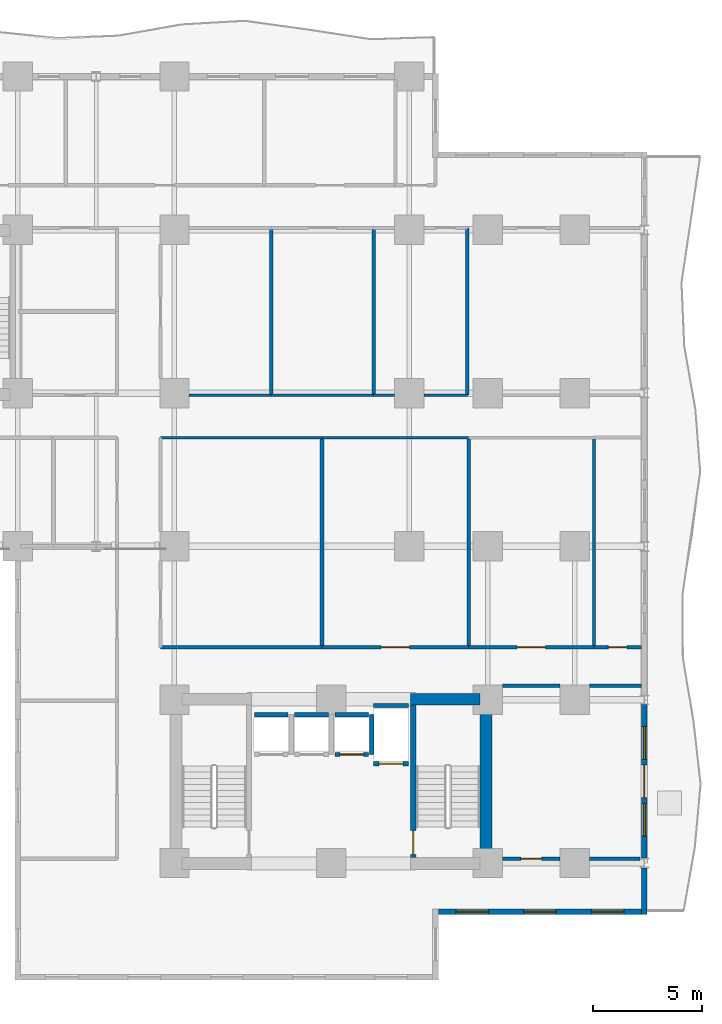
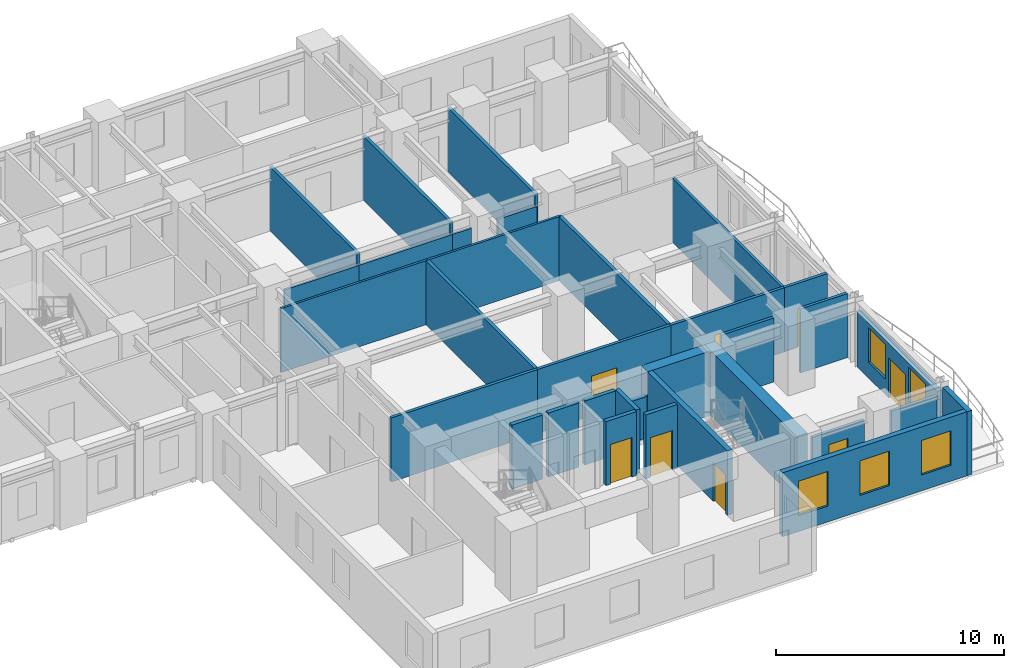
# One storey, part 5 of 11: 33 walls, 8 doors, 5 windows, 13 openings.
"""IFC4 building model written with IfcOpenShell, lengths in metres."""

from ifc_helpers import new_model, si_unit, direction, frame, frame_2d, origin, place, context, subcontext, project, spatial, rectangle, extrude, material, layer, layer_set, type_object, element, fill, save


model = new_model("IFC4")

# Units and contexts
model_context = context("Model", 3, precision=1e-05, world=origin(), true_north=direction((0.0, 1.0)))
body_context = subcontext(model_context, "Body", "Model", "MODEL_VIEW")
ifc_project = project(units=[si_unit("LENGTHUNIT", "METRE"), si_unit("AREAUNIT", "SQUARE_METRE"), si_unit("VOLUMEUNIT", "CUBIC_METRE"), si_unit("PLANEANGLEUNIT", "RADIAN"), si_unit("MASSUNIT", "GRAM", prefix="KILO")], contexts=[model_context])

# Site, building, storey
site_placement = place(None, origin())
site = spatial("IfcSite", under=ifc_project, at=site_placement, CompositionType="ELEMENT")
building_placement = place(site_placement, origin())
building = spatial("IfcBuilding", under=site, at=building_placement, Name="Kaliganga Portal Commons", CompositionType="ELEMENT")
storey_placement = place(building_placement, frame((0.0, 0.0, 51.199951171875)))
storey = spatial("IfcBuildingStorey", under=building, at=storey_placement, Name="L12", CompositionType="ELEMENT", Elevation=51.199951171875)

# Walls
ifc_material_1 = material(Name="Concrete C60/75", Category="concrete")
ifc_layer_1 = layer(ifc_material_1, 0.550048828125)
ifc_layer_set_1 = layer_set([ifc_layer_1], Name="Concrete C60/75")
wall_type_1 = type_object("IfcWallType", Name="WL-CORE-550", PredefinedType="SHEAR", material=ifc_layer_set_1)
wall_1_placement = place(storey_placement, frame((50.324951171875, 6.75, 0.0), z_axis=(0.0, 0.0, 1.0), x_axis=(0.0, 1.0, 0.0)))
element("IfcWall", 1, at=wall_1_placement, inside=storey, type_object=wall_type_1, Name="Core B East Shear Wall L12", PredefinedType="SHEAR", context=body_context, shape_type="SweptSolid", body=[
    extrude(rectangle(XDim=8.10009765625, YDim=0.550048828125, at=frame_2d((4.050048828125, 0.0))), origin(), (0.0, 0.0, 1.0), 3.449951171875),
])
wall_2_placement = place(storey_placement, frame((46.85009765625, 14.574951171875, 0.0), z_axis=(0.0, 0.0, 1.0), x_axis=(1.0, 0.0, 0.0)))
element("IfcWall", 2, at=wall_2_placement, inside=storey, type_object=wall_type_1, Name="Core B N-East Shear Wall L12", PredefinedType="SHEAR", context=body_context, shape_type="SweptSolid", body=[
    extrude(rectangle(XDim=3.199951171875, YDim=0.550048828125, at=frame_2d((1.60009765625, 0.0))), origin(), (0.0, 0.0, 1.0), 3.449951171875),
])

# Wall, openings, windows
ifc_material_2 = material(Name="Insulated Aluminium-Clad Spandrel Assembly", Category="aluminium")
ifc_layer_2 = layer(ifc_material_2, 0.260009765625)
ifc_layer_set_2 = layer_set([ifc_layer_2], Name="Insulated Aluminium-Clad Spandrel Assembly")
wall_type_2 = type_object("IfcWallType", Name="WL-EXT-SPAND-260", PredefinedType="STANDARD", material=ifc_layer_set_2)
wall_3_placement = place(storey_placement, frame((57.465087890625, 4.800048828125, 0.0), z_axis=(0.0, 0.0, 1.0), x_axis=(-1.0, 0.0, 0.0)))
wall_3 = element("IfcWall", 3, at=wall_3_placement, inside=storey, type_object=wall_type_2, Name="Exterior Envelope Wall L12 P1-E02-S1", PredefinedType="STANDARD", context=body_context, shape_type="SweptSolid", body=[
    extrude(rectangle(XDim=9.330078125, YDim=0.260009765625, at=frame_2d((4.6650390625, 0.0))), origin(), (0.0, 0.0, 1.0), 3.429931640625),
])
opening_1_placement = place(wall_3_placement, frame((0.804931640625, 0.0, 0.85009765625)))
opening_1 = element("IfcOpeningElement", 4, at=opening_1_placement, cuts=wall_3, Name="Opening W-02", PredefinedType="OPENING", context=body_context, shape_type="SweptSolid", body=[
    extrude(rectangle(XDim=1.5, YDim=1.85009765625, at=frame_2d((0.75, 0.925048828125))), frame((0.0, 0.14013671875, 0.0), z_axis=(0.0, -1.0, 0.0), x_axis=(1.0, 0.0, 0.0)), (0.0, 0.0, 1.0), 0.280029296875),
])
opening_2_placement = place(wall_3_placement, frame((3.9150390625, 0.0, 0.85009765625)))
opening_2 = element("IfcOpeningElement", 5, at=opening_2_placement, cuts=wall_3, Name="Opening W-02", PredefinedType="OPENING", context=body_context, shape_type="SweptSolid", body=[
    extrude(rectangle(XDim=1.5, YDim=1.85009765625, at=frame_2d((0.75, 0.925048828125))), frame((0.0, 0.14013671875, 0.0), z_axis=(0.0, -1.0, 0.0), x_axis=(1.0, 0.0, 0.0)), (0.0, 0.0, 1.0), 0.280029296875),
])
opening_3_placement = place(wall_3_placement, frame((7.02490234375, 0.0, 0.85009765625)))
opening_3 = element("IfcOpeningElement", 6, at=opening_3_placement, cuts=wall_3, Name="Opening W-02", PredefinedType="OPENING", context=body_context, shape_type="SweptSolid", body=[
    extrude(rectangle(XDim=1.5, YDim=1.85009765625, at=frame_2d((0.75, 0.925048828125))), frame((0.0, 0.14013671875, 0.0), z_axis=(0.0, -1.0, 0.0), x_axis=(1.0, 0.0, 0.0)), (0.0, 0.0, 1.0), 0.280029296875),
])
ifc_material_3 = material(Name="Thermally Broken Aluminium and Low-E Double Glazing", Category="aluminium")
window_type = type_object("IfcWindowType", Name="WIN-STD-1500", PartitioningType="DOUBLE_PANEL_VERTICAL", PredefinedType="WINDOW", material=ifc_material_3)
window_1_placement = place(opening_1_placement, origin())
window_1 = element("IfcWindow", 7, at=window_1_placement, inside=storey, type_object=window_type, Name="Facade Window L12-P1E02S1-00", OverallHeight=1.85009765625, OverallWidth=1.5, PartitioningType="SINGLE_PANEL", PredefinedType="WINDOW", context=body_context, shape_type="SweptSolid", body=[
    extrude(rectangle(XDim=1.5, YDim=1.85009765625, at=frame_2d((0.75, 0.925048828125))), frame((0.0, 0.030029296875, 0.0), z_axis=(0.0, -1.0, 0.0), x_axis=(1.0, 0.0, 0.0)), (0.0, 0.0, 1.0), 0.06005859375),
])
fill(opening_1, window_1)
window_2_placement = place(opening_2_placement, origin())
window_2 = element("IfcWindow", 8, at=window_2_placement, inside=storey, type_object=window_type, Name="Facade Window L12-P1E02S1-01", OverallHeight=1.85009765625, OverallWidth=1.5, PartitioningType="SINGLE_PANEL", PredefinedType="WINDOW", context=body_context, shape_type="SweptSolid", body=[
    extrude(rectangle(XDim=1.5, YDim=1.85009765625, at=frame_2d((0.75, 0.925048828125))), frame((0.0, 0.030029296875, 0.0), z_axis=(0.0, -1.0, 0.0), x_axis=(1.0, 0.0, 0.0)), (0.0, 0.0, 1.0), 0.06005859375),
])
fill(opening_2, window_2)
window_3_placement = place(opening_3_placement, origin())
window_3 = element("IfcWindow", 9, at=window_3_placement, inside=storey, type_object=window_type, Name="Facade Window L12-P1E02S1-02", OverallHeight=1.85009765625, OverallWidth=1.5, PartitioningType="SINGLE_PANEL", PredefinedType="WINDOW", context=body_context, shape_type="SweptSolid", body=[
    extrude(rectangle(XDim=1.5, YDim=1.85009765625, at=frame_2d((0.75, 0.925048828125))), frame((0.0, 0.030029296875, 0.0), z_axis=(0.0, -1.0, 0.0), x_axis=(1.0, 0.0, 0.0)), (0.0, 0.0, 1.0), 0.06005859375),
])
fill(opening_3, window_3)

# Wall
wall_4_placement = place(storey_placement, frame((57.60009765625, 6.825927734375, 0.0), z_axis=(0.0, 0.0, 1.0), x_axis=(0.0, -1.0, 0.0)))
element("IfcWall", 10, at=wall_4_placement, inside=storey, type_object=wall_type_2, Name="Exterior Envelope Wall L12 P1-E03-S1", PredefinedType="STANDARD", context=body_context, shape_type="SweptSolid", body=[
    extrude(rectangle(XDim=2.156005859375, YDim=0.260009765625, at=frame_2d((1.078125, 0.0))), origin(), (0.0, 0.0, 1.0), 3.429931640625),
])

# Wall, openings, door, windows
wall_5_placement = place(storey_placement, frame((57.60009765625, 14.325927734375, 0.0), z_axis=(0.0, 0.0, 1.0), x_axis=(0.0, -1.0, 0.0)))
wall_5 = element("IfcWall", 11, at=wall_5_placement, inside=storey, type_object=wall_type_2, Name="Exterior Envelope Wall L12 P1-E03-S2", PredefinedType="STANDARD", context=body_context, shape_type="SweptSolid", body=[
    extrude(rectangle(XDim=7.052001953125, YDim=0.260009765625, at=frame_2d((3.52587890625, 0.0))), origin(), (0.0, 0.0, 1.0), 2.929931640625),
])
opening_4_placement = place(wall_5_placement, frame((2.77587890625, 0.0, 0.0)))
opening_4 = element("IfcOpeningElement", 12, at=opening_4_placement, cuts=wall_5, Name="Opening BD-01", PredefinedType="OPENING", context=body_context, shape_type="SweptSolid", body=[
    extrude(rectangle(XDim=1.5, YDim=2.14990234375, at=frame_2d((0.75, 1.074951171875))), frame((0.0, 0.14013671875, 0.0), z_axis=(0.0, -1.0, 0.0), x_axis=(1.0, 0.0, 0.0)), (0.0, 0.0, 1.0), 0.280029296875),
])
opening_5_placement = place(wall_5_placement, frame((1.012939453125, 0.0, 0.85009765625)))
opening_5 = element("IfcOpeningElement", 13, at=opening_5_placement, cuts=wall_5, Name="Opening W-02", PredefinedType="OPENING", context=body_context, shape_type="SweptSolid", body=[
    extrude(rectangle(XDim=1.5, YDim=1.85009765625, at=frame_2d((0.75, 0.925048828125))), frame((0.0, 0.14013671875, 0.0), z_axis=(0.0, -1.0, 0.0), x_axis=(1.0, 0.0, 0.0)), (0.0, 0.0, 1.0), 0.280029296875),
])
opening_6_placement = place(wall_5_placement, frame((4.5390625, 0.0, 0.85009765625)))
opening_6 = element("IfcOpeningElement", 14, at=opening_6_placement, cuts=wall_5, Name="Opening W-02", PredefinedType="OPENING", context=body_context, shape_type="SweptSolid", body=[
    extrude(rectangle(XDim=1.5, YDim=1.85009765625, at=frame_2d((0.75, 0.925048828125))), frame((0.0, 0.14013671875, 0.0), z_axis=(0.0, -1.0, 0.0), x_axis=(1.0, 0.0, 0.0)), (0.0, 0.0, 1.0), 0.280029296875),
])
ifc_material_4 = material(Name="Anodized Aluminium and Laminated Safety Glass", Category="aluminium")
door_type_1 = type_object("IfcDoorType", Name="DR-BALC-1500", OperationType="SLIDING_TO_LEFT", PredefinedType="DOOR", material=ifc_material_4)
door_1_placement = place(opening_4_placement, origin())
door_1 = element("IfcDoor", 15, at=door_1_placement, inside=storey, type_object=door_type_1, Name="Balcony Sliding Door L12 balc_east", OperationType="SLIDING_TO_LEFT", OverallHeight=2.14990234375, OverallWidth=1.5, PredefinedType="DOOR", context=body_context, shape_type="SweptSolid", body=[
    extrude(rectangle(XDim=1.5, YDim=2.14990234375, at=frame_2d((0.75, 1.074951171875))), frame((0.0, 0.02490234375, 0.0), z_axis=(0.0, -1.0, 0.0), x_axis=(1.0, 0.0, 0.0)), (0.0, 0.0, 1.0), 0.050048828125),
])
fill(opening_4, door_1)
window_4_placement = place(opening_5_placement, origin())
window_4 = element("IfcWindow", 16, at=window_4_placement, inside=storey, type_object=window_type, Name="Facade Window L12-P1E03S2-00", OverallHeight=1.85009765625, OverallWidth=1.5, PartitioningType="SINGLE_PANEL", PredefinedType="WINDOW", context=body_context, shape_type="SweptSolid", body=[
    extrude(rectangle(XDim=1.5, YDim=1.85009765625, at=frame_2d((0.75, 0.925048828125))), frame((0.0, 0.030029296875, 0.0), z_axis=(0.0, -1.0, 0.0), x_axis=(1.0, 0.0, 0.0)), (0.0, 0.0, 1.0), 0.06005859375),
])
fill(opening_5, window_4)
window_5_placement = place(opening_6_placement, origin())
window_5 = element("IfcWindow", 17, at=window_5_placement, inside=storey, type_object=window_type, Name="Facade Window L12-P1E03S2-01", OverallHeight=1.85009765625, OverallWidth=1.5, PartitioningType="SINGLE_PANEL", PredefinedType="WINDOW", context=body_context, shape_type="SweptSolid", body=[
    extrude(rectangle(XDim=1.5, YDim=1.85009765625, at=frame_2d((0.75, 0.925048828125))), frame((0.0, 0.030029296875, 0.0), z_axis=(0.0, -1.0, 0.0), x_axis=(1.0, 0.0, 0.0)), (0.0, 0.0, 1.0), 0.06005859375),
])
fill(opening_6, window_5)

# Wall
ifc_material_5 = material(Name="Fire-Rated Gypsum Board on Steel Stud", Category="steel")
ifc_layer_3 = layer(ifc_material_5, 0.14990234375)
ifc_layer_set_3 = layer_set([ifc_layer_3], Name="Fire-Rated Gypsum Board on Steel Stud")
wall_type_3 = type_object("IfcWallType", Name="WL-PART-CORR-150", PredefinedType="PARTITIONING", material=ifc_layer_set_3)
wall_6_placement = place(storey_placement, frame((35.360107421875, 16.9599609375, 0.0), z_axis=(0.0, 0.0, 1.0), x_axis=(1.0, 0.0, 0.0)))
element("IfcWall", 18, at=wall_6_placement, inside=storey, type_object=wall_type_3, Name="Interior Partition L12-013", PredefinedType="PARTITIONING", context=body_context, shape_type="SweptSolid", body=[
    extrude(rectangle(XDim=7.419921875, YDim=0.14990234375, at=frame_2d((3.7099609375, 0.0))), origin(), (0.0, 0.0, 1.0), 3.429931640625),
])

# Wall, opening, door
wall_7_placement = place(storey_placement, frame((51.074951171875, 7.239990234375, 0.0), z_axis=(0.0, 0.0, 1.0), x_axis=(1.0, 0.0, 0.0)))
wall_7 = element("IfcWall", 19, at=wall_7_placement, inside=storey, type_object=wall_type_3, Name="Interior Partition L12-017", PredefinedType="PARTITIONING", context=body_context, shape_type="SweptSolid", body=[
    extrude(rectangle(XDim=2.650146484375, YDim=0.14990234375, at=frame_2d((1.3251953125, 0.0))), origin(), (0.0, 0.0, 1.0), 2.780029296875),
])
opening_7_placement = place(wall_7_placement, frame((0.85009765625, 0.0, 0.0)))
opening_7 = element("IfcOpeningElement", 20, at=opening_7_placement, cuts=wall_7, Name="Opening UD-01", PredefinedType="OPENING", context=body_context, shape_type="SweptSolid", body=[
    extrude(rectangle(XDim=0.949951171875, YDim=2.10009765625, at=frame_2d((0.47509765625, 1.050048828125))), frame((0.0, 0.0849609375, 0.0), z_axis=(0.0, -1.0, 0.0), x_axis=(1.0, 0.0, 0.0)), (0.0, 0.0, 1.0), 0.169921875),
])
ifc_material_6 = material(Name="Solid-Core Timber Acoustic Fire Door", Category="wood")
door_type_2 = type_object("IfcDoorType", Name="DR-UNIT-950", OperationType="NOTDEFINED", PredefinedType="DOOR", material=ifc_material_6)
door_2_placement = place(opening_7_placement, origin())
door_2 = element("IfcDoor", 21, at=door_2_placement, inside=storey, type_object=door_type_2, Name="Interior Door L12-BE01", OperationType="SINGLE_SWING_RIGHT", OverallHeight=2.10009765625, OverallWidth=0.949951171875, PredefinedType="DOOR", context=body_context, shape_type="SweptSolid", body=[
    extrude(rectangle(XDim=0.949951171875, YDim=2.10009765625, at=frame_2d((0.47509765625, 1.050048828125))), frame((0.0, 0.02490234375, 0.0), z_axis=(0.0, -1.0, 0.0), x_axis=(1.0, 0.0, 0.0)), (0.0, 0.0, 1.0), 0.050048828125),
])
fill(opening_7, door_2)

# Walls
wall_8_placement = place(storey_placement, frame((55.074951171875, 7.239990234375, 0.0), z_axis=(0.0, 0.0, 1.0), x_axis=(1.0, 0.0, 0.0)))
element("IfcWall", 22, at=wall_8_placement, inside=storey, type_object=wall_type_3, Name="Interior Partition L12-018", PredefinedType="PARTITIONING", context=body_context, shape_type="SweptSolid", body=[
    extrude(rectangle(XDim=2.317138671875, YDim=0.14990234375, at=frame_2d((1.15869140625, 0.0))), origin(), (0.0, 0.0, 1.0), 2.780029296875),
])
wall_9_placement = place(storey_placement, frame((51.074951171875, 15.199951171875, 0.0), z_axis=(0.0, 0.0, 1.0), x_axis=(1.0, 0.0, 0.0)))
element("IfcWall", 23, at=wall_9_placement, inside=storey, type_object=wall_type_3, Name="Interior Partition L12-019", PredefinedType="PARTITIONING", context=body_context, shape_type="SweptSolid", body=[
    extrude(rectangle(XDim=2.650146484375, YDim=0.14990234375, at=frame_2d((1.3251953125, 0.0))), origin(), (0.0, 0.0, 1.0), 3.429931640625),
])
wall_10_placement = place(storey_placement, frame((55.074951171875, 15.199951171875, 0.0), z_axis=(0.0, 0.0, 1.0), x_axis=(1.0, 0.0, 0.0)))
element("IfcWall", 24, at=wall_10_placement, inside=storey, type_object=wall_type_3, Name="Interior Partition L12-020", PredefinedType="PARTITIONING", context=body_context, shape_type="SweptSolid", body=[
    extrude(rectangle(XDim=2.39306640625, YDim=0.14990234375, at=frame_2d((1.196533203125, 0.0))), origin(), (0.0, 0.0, 1.0), 3.429931640625),
])

# Wall, opening, door
wall_11_placement = place(storey_placement, frame((42.780029296875, 16.9599609375, 0.0), z_axis=(0.0, 0.0, 1.0), x_axis=(1.0, 0.0, 0.0)))
wall_11 = element("IfcWall", 25, at=wall_11_placement, inside=storey, type_object=wall_type_3, Name="Interior Partition L12-022", PredefinedType="PARTITIONING", context=body_context, shape_type="SweptSolid", body=[
    extrude(rectangle(XDim=6.739990234375, YDim=0.14990234375, at=frame_2d((3.3701171875, 0.0))), origin(), (0.0, 0.0, 1.0), 3.429931640625),
])
opening_8_placement = place(wall_11_placement, frame((2.719970703125, 0.0, 0.0)))
opening_8 = element("IfcOpeningElement", 26, at=opening_8_placement, cuts=wall_11, Name="Opening RD-03", PredefinedType="OPENING", context=body_context, shape_type="SweptSolid", body=[
    extrude(rectangle(XDim=1.300048828125, YDim=2.1201171875, at=frame_2d((0.64990234375, 1.06005859375))), frame((0.0, 0.0849609375, 0.0), z_axis=(0.0, -1.0, 0.0), x_axis=(1.0, 0.0, 0.0)), (0.0, 0.0, 1.0), 0.169921875),
])
ifc_material_7 = material(Name="Glazed Timber Seminar Vision Door", Category="wood")
door_type_3 = type_object("IfcDoorType", Name="DR-STUDY-1300", OperationType="DOUBLE_DOOR_SINGLE_SWING", PredefinedType="DOOR", material=ifc_material_7)
door_3_placement = place(opening_8_placement, origin())
door_3 = element("IfcDoor", 27, at=door_3_placement, inside=storey, type_object=door_type_3, Name="Interior Door L12-BM02", OperationType="DOUBLE_DOOR_SINGLE_SWING", OverallHeight=2.1201171875, OverallWidth=1.300048828125, PredefinedType="DOOR", context=body_context, shape_type="SweptSolid", body=[
    extrude(rectangle(XDim=1.300048828125, YDim=2.1201171875, at=frame_2d((0.64990234375, 1.06005859375))), frame((0.0, 0.02490234375, 0.0), z_axis=(0.0, -1.0, 0.0), x_axis=(1.0, 0.0, 0.0)), (0.0, 0.0, 1.0), 0.050048828125),
])
fill(opening_8, door_3)

wall_12_placement = place(storey_placement, frame((49.52001953125, 16.9599609375, 0.0), z_axis=(0.0, 0.0, 1.0), x_axis=(1.0, 0.0, 0.0)))
wall_12 = element("IfcWall", 28, at=wall_12_placement, inside=storey, type_object=wall_type_3, Name="Interior Partition L12-026", PredefinedType="PARTITIONING", context=body_context, shape_type="SweptSolid", body=[
    extrude(rectangle(XDim=5.760009765625, YDim=0.14990234375, at=frame_2d((2.8798828125, 0.0))), origin(), (0.0, 0.0, 1.0), 3.429931640625),
])
opening_9_placement = place(wall_12_placement, frame((2.22998046875, 0.0, 0.0)))
opening_9 = element("IfcOpeningElement", 29, at=opening_9_placement, cuts=wall_12, Name="Opening RD-03", PredefinedType="OPENING", context=body_context, shape_type="SweptSolid", body=[
    extrude(rectangle(XDim=1.300048828125, YDim=2.1201171875, at=frame_2d((0.64990234375, 1.06005859375))), frame((0.0, 0.0849609375, 0.0), z_axis=(0.0, -1.0, 0.0), x_axis=(1.0, 0.0, 0.0)), (0.0, 0.0, 1.0), 0.169921875),
])
door_4_placement = place(opening_9_placement, origin())
door_4 = element("IfcDoor", 30, at=door_4_placement, inside=storey, type_object=door_type_3, Name="Interior Door L12-BM03", OperationType="DOUBLE_DOOR_SINGLE_SWING", OverallHeight=2.1201171875, OverallWidth=1.300048828125, PredefinedType="DOOR", context=body_context, shape_type="SweptSolid", body=[
    extrude(rectangle(XDim=1.300048828125, YDim=2.1201171875, at=frame_2d((0.64990234375, 1.06005859375))), frame((0.0, 0.02490234375, 0.0), z_axis=(0.0, -1.0, 0.0), x_axis=(1.0, 0.0, 0.0)), (0.0, 0.0, 1.0), 0.050048828125),
])
fill(opening_9, door_4)

wall_13_placement = place(storey_placement, frame((55.280029296875, 16.9599609375, 0.0), z_axis=(0.0, 0.0, 1.0), x_axis=(1.0, 0.0, 0.0)))
wall_13 = element("IfcWall", 31, at=wall_13_placement, inside=storey, type_object=wall_type_3, Name="Interior Partition L12-044", PredefinedType="PARTITIONING", context=body_context, shape_type="SweptSolid", body=[
    extrude(rectangle(XDim=2.18798828125, YDim=0.14990234375, at=frame_2d((1.093994140625, 0.0))), origin(), (0.0, 0.0, 1.0), 3.429931640625),
])
opening_10_placement = place(wall_13_placement, frame((0.6689453125, 0.0, 0.0)))
opening_10 = element("IfcOpeningElement", 32, at=opening_10_placement, cuts=wall_13, Name="Opening WD-01", PredefinedType="OPENING", context=body_context, shape_type="SweptSolid", body=[
    extrude(rectangle(XDim=0.85009765625, YDim=2.0400390625, at=frame_2d((0.425048828125, 1.02001953125))), frame((0.0, 0.0849609375, 0.0), z_axis=(0.0, -1.0, 0.0), x_axis=(1.0, 0.0, 0.0)), (0.0, 0.0, 1.0), 0.169921875),
])
ifc_material_8 = material(Name="Moisture-Resistant Laminate Timber Door", Category="wood")
door_type_4 = type_object("IfcDoorType", Name="DR-WET-850", OperationType="NOTDEFINED", PredefinedType="DOOR", material=ifc_material_8)
door_5_placement = place(opening_10_placement, origin())
door_5 = element("IfcDoor", 33, at=door_5_placement, inside=storey, type_object=door_type_4, Name="Interior Door L12-BM04", OperationType="SINGLE_SWING_LEFT", OverallHeight=2.0400390625, OverallWidth=0.85009765625, PredefinedType="DOOR", context=body_context, shape_type="SweptSolid", body=[
    extrude(rectangle(XDim=0.85009765625, YDim=2.0400390625, at=frame_2d((0.425048828125, 1.02001953125))), frame((0.0, 0.02490234375, 0.0), z_axis=(0.0, -1.0, 0.0), x_axis=(1.0, 0.0, 0.0)), (0.0, 0.0, 1.0), 0.050048828125),
])
fill(opening_10, door_5)

# Walls
ifc_material_9 = material(Name="Moisture-Resistant Gypsum Partition", Category="gypsum")
ifc_layer_4 = layer(ifc_material_9, 0.114990234375)
ifc_layer_set_4 = layer_set([ifc_layer_4], Name="Moisture-Resistant Gypsum Partition")
wall_type_4 = type_object("IfcWallType", Name="WL-PART-ROOM-115", PredefinedType="PARTITIONING", material=ifc_layer_set_4)
wall_14_placement = place(storey_placement, frame((35.360107421875, 26.60009765625, 0.0), z_axis=(0.0, 0.0, 1.0), x_axis=(1.0, 0.0, 0.0)))
element("IfcWall", 34, at=wall_14_placement, inside=storey, type_object=wall_type_4, Name="Interior Partition L12-056", PredefinedType="PARTITIONING", context=body_context, shape_type="SweptSolid", body=[
    extrude(rectangle(XDim=7.419921875, YDim=0.114990234375, at=frame_2d((3.7099609375, 0.0))), origin(), (0.0, 0.0, 1.0), 3.429931640625),
])
wall_15_placement = place(storey_placement, frame((42.780029296875, 26.60009765625, 0.0), z_axis=(0.0, 0.0, 1.0), x_axis=(1.0, 0.0, 0.0)))
element("IfcWall", 35, at=wall_15_placement, inside=storey, type_object=wall_type_4, Name="Interior Partition L12-057", PredefinedType="PARTITIONING", context=body_context, shape_type="SweptSolid", body=[
    extrude(rectangle(XDim=6.739990234375, YDim=0.114990234375, at=frame_2d((3.3701171875, 0.0))), origin(), (0.0, 0.0, 1.0), 3.429931640625),
])
wall_16_placement = place(storey_placement, frame((36.675048828125, 28.56005859375, 0.0), z_axis=(0.0, 0.0, 1.0), x_axis=(1.0, 0.0, 0.0)))
element("IfcWall", 36, at=wall_16_placement, inside=storey, type_object=wall_type_4, Name="Interior Partition L12-059", PredefinedType="PARTITIONING", context=body_context, shape_type="SweptSolid", body=[
    extrude(rectangle(XDim=3.764892578125, YDim=0.114990234375, at=frame_2d((1.88232421875, 0.0))), origin(), (0.0, 0.0, 1.0), 2.780029296875),
])
wall_17_placement = place(storey_placement, frame((40.43994140625, 28.56005859375, 0.0), z_axis=(0.0, 0.0, 1.0), x_axis=(1.0, 0.0, 0.0)))
element("IfcWall", 37, at=wall_17_placement, inside=storey, type_object=wall_type_4, Name="Interior Partition L12-072", PredefinedType="PARTITIONING", context=body_context, shape_type="SweptSolid", body=[
    extrude(rectangle(XDim=4.719970703125, YDim=0.114990234375, at=frame_2d((2.35986328125, 0.0))), origin(), (0.0, 0.0, 1.0), 2.780029296875),
])
wall_18_placement = place(storey_placement, frame((45.159912109375, 28.56005859375, 0.0), z_axis=(0.0, 0.0, 1.0), x_axis=(1.0, 0.0, 0.0)))
element("IfcWall", 38, at=wall_18_placement, inside=storey, type_object=wall_type_4, Name="Interior Partition L12-076", PredefinedType="PARTITIONING", context=body_context, shape_type="SweptSolid", body=[
    extrude(rectangle(XDim=0.965087890625, YDim=0.114990234375, at=frame_2d((0.482421875, 0.0))), origin(), (0.0, 0.0, 1.0), 2.780029296875),
])
wall_19_placement = place(storey_placement, frame((47.47509765625, 28.56005859375, 0.0), z_axis=(0.0, 0.0, 1.0), x_axis=(1.0, 0.0, 0.0)))
element("IfcWall", 39, at=wall_19_placement, inside=storey, type_object=wall_type_4, Name="Interior Partition L12-077", PredefinedType="PARTITIONING", context=body_context, shape_type="SweptSolid", body=[
    extrude(rectangle(XDim=1.98486328125, YDim=0.114990234375, at=frame_2d((0.992431640625, 0.0))), origin(), (0.0, 0.0, 1.0), 2.780029296875),
])
ifc_material_10 = material(Name="Twin-Stud Acoustic Gypsum Partition", Category="gypsum")
ifc_layer_5 = layer(ifc_material_10, 0.1650390625)
ifc_layer_set_5 = layer_set([ifc_layer_5], Name="Twin-Stud Acoustic Gypsum Partition")
wall_type_5 = type_object("IfcWallType", Name="WL-PART-UNIT-165", PredefinedType="PARTITIONING", material=ifc_layer_set_5)
for number, where, z_axis, x_axis, name in (
    (40, (42.780029296875, 16.9599609375, 0.0), (0.0, 0.0, 1.0), (0.0, 1.0, 0.0), "Interior Partition L12-048"),
    (41, (49.52001953125, 16.9599609375, 0.0), (0.0, 0.0, 1.0), (0.0, 1.0, 0.0), "Interior Partition L12-049"),
):
    element("IfcWall", number, at=place(storey_placement, frame(where, z_axis=z_axis, x_axis=x_axis)), inside=storey, type_object=wall_type_5, Name=name, PredefinedType="PARTITIONING", context=body_context, shape_type="SweptSolid", body=[
        extrude(rectangle(XDim=9.64013671875, YDim=0.1650390625, at=frame_2d((4.820068359375, 0.0))), origin(), (0.0, 0.0, 1.0), 3.429931640625),
    ])
for number, where, z_axis, x_axis, name in (
    (42, (40.43994140625, 28.56005859375, 0.0), (0.0, 0.0, 1.0), (0.0, 1.0, 0.0), "Interior Partition L12-053"),
    (43, (45.159912109375, 28.56005859375, 0.0), (0.0, 0.0, 1.0), (0.0, 1.0, 0.0), "Interior Partition L12-054"),
    (44, (49.4599609375, 28.56005859375, 0.0), (0.0, 0.0, 1.0), (0.0, 1.0, 0.0), "Interior Partition L12-055"),
):
    element("IfcWall", number, at=place(storey_placement, frame(where, z_axis=z_axis, x_axis=x_axis)), inside=storey, type_object=wall_type_5, Name=name, PredefinedType="PARTITIONING", context=body_context, shape_type="SweptSolid", body=[
        extrude(rectangle(XDim=7.679931640625, YDim=0.1650390625, at=frame_2d((3.83984375, 0.0))), origin(), (0.0, 0.0, 1.0), 3.429931640625),
    ])
ifc_material_11 = material(Name="Cement-Board Wet-Room Partition", Category="gypsum")
ifc_layer_6 = layer(ifc_material_11, 0.135009765625)
ifc_layer_set_6 = layer_set([ifc_layer_6], Name="Cement-Board Wet-Room Partition")
wall_type_6 = type_object("IfcWallType", Name="WL-PART-WET-135", PredefinedType="PARTITIONING", material=ifc_layer_set_6)
wall_20_placement = place(storey_placement, frame((55.280029296875, 16.9599609375, 0.0), z_axis=(0.0, 0.0, 1.0), x_axis=(0.0, 1.0, 0.0)))
element("IfcWall", 45, at=wall_20_placement, inside=storey, type_object=wall_type_6, Name="Interior Partition L12-050", PredefinedType="PARTITIONING", context=body_context, shape_type="SweptSolid", body=[
    extrude(rectangle(XDim=9.64013671875, YDim=0.135009765625, at=frame_2d((4.820068359375, 0.0))), origin(), (0.0, 0.0, 1.0), 3.429931640625),
])
ifc_material_12 = material(Name="Fire-Rated Shaftwall Masonry Assembly", Category="masonry")
ifc_layer_7 = layer(ifc_material_12, 0.199951171875)
ifc_layer_set_7 = layer_set([ifc_layer_7], Name="Fire-Rated Shaftwall Masonry Assembly")
wall_type_7 = type_object("IfcWallType", Name="WL-SHAFT-200", PredefinedType="PARTITIONING", material=ifc_layer_set_7)
for number, where, z_axis, x_axis, name in (
    (46, (39.675048828125, 13.864990234375, 0.0), (0.0, 0.0, 1.0), (1.0, 0.0, 0.0), "Lift PL-B1 Hoistway Shaft Wall L12-N"),
    (47, (41.52490234375, 13.864990234375, 0.0), (0.0, 0.0, 1.0), (1.0, 0.0, 0.0), "Lift PL-B2 Hoistway Shaft Wall L12-N"),
):
    element("IfcWall", number, at=place(storey_placement, frame(where, z_axis=z_axis, x_axis=x_axis)), inside=storey, type_object=wall_type_7, Name=name, PredefinedType="PARTITIONING", context=body_context, shape_type="SweptSolid", body=[
        extrude(rectangle(XDim=1.550048828125, YDim=0.199951171875, at=frame_2d((0.77490234375, 0.0))), origin(), (0.0, 0.0, 1.0), 3.429931640625),
    ])

# Wall, opening, door
wall_21_placement = place(storey_placement, frame((43.375, 12.034912109375, 0.0), z_axis=(0.0, 0.0, 1.0), x_axis=(1.0, 0.0, 0.0)))
wall_21 = element("IfcWall", 48, at=wall_21_placement, inside=storey, type_object=wall_type_7, Name="Lift SH-2 Hoistway Shaft Wall L12-S", PredefinedType="PARTITIONING", context=body_context, shape_type="SweptSolid", body=[
    extrude(rectangle(XDim=1.550048828125, YDim=0.199951171875, at=frame_2d((0.77490234375, 0.0))), origin(), (0.0, 0.0, 1.0), 3.429931640625),
])
opening_11_placement = place(wall_21_placement, frame((0.22509765625, 0.0, 0.0)))
opening_11 = element("IfcOpeningElement", 49, at=opening_11_placement, cuts=wall_21, Name="Opening LD-01", PredefinedType="OPENING", context=body_context, shape_type="SweptSolid", body=[
    extrude(rectangle(XDim=1.10009765625, YDim=2.1201171875, at=frame_2d((0.550048828125, 1.06005859375))), frame((0.0, 0.10986328125, 0.0), z_axis=(0.0, -1.0, 0.0), x_axis=(1.0, 0.0, 0.0)), (0.0, 0.0, 1.0), 0.219970703125),
])
ifc_material_13 = material(Name="Brushed Stainless Steel 316 Lift Landing Door", Category="steel")
door_type_5 = type_object("IfcDoorType", Name="DR-LIFT-1100", OperationType="SLIDING_TO_LEFT", PredefinedType="DOOR", material=ifc_material_13)
door_6_placement = place(opening_11_placement, origin())
door_6 = element("IfcDoor", 50, at=door_6_placement, inside=storey, type_object=door_type_5, Name="Lift SH-2 Sliding Landing Door L12", OperationType="SLIDING_TO_LEFT", OverallHeight=2.1201171875, OverallWidth=1.10009765625, PredefinedType="DOOR", context=body_context, shape_type="SweptSolid", body=[
    extrude(rectangle(XDim=1.10009765625, YDim=2.1201171875, at=frame_2d((0.550048828125, 1.06005859375))), frame((0.0, 0.02490234375, 0.0), z_axis=(0.0, -1.0, 0.0), x_axis=(1.0, 0.0, 0.0)), (0.0, 0.0, 1.0), 0.050048828125),
])
fill(opening_11, door_6)

# Walls
wall_22_placement = place(storey_placement, frame((43.375, 13.864990234375, 0.0), z_axis=(0.0, 0.0, 1.0), x_axis=(1.0, 0.0, 0.0)))
element("IfcWall", 51, at=wall_22_placement, inside=storey, type_object=wall_type_7, Name="Lift SH-2 Hoistway Shaft Wall L12-N", PredefinedType="PARTITIONING", context=body_context, shape_type="SweptSolid", body=[
    extrude(rectangle(XDim=1.550048828125, YDim=0.199951171875, at=frame_2d((0.77490234375, 0.0))), origin(), (0.0, 0.0, 1.0), 3.429931640625),
])
wall_23_placement = place(storey_placement, frame((45.06494140625, 12.034912109375, 0.0), z_axis=(0.0, 0.0, 1.0), x_axis=(0.0, 1.0, 0.0)))
element("IfcWall", 52, at=wall_23_placement, inside=storey, type_object=wall_type_7, Name="Lift SH-2 Hoistway Shaft Wall L12-E", PredefinedType="PARTITIONING", context=body_context, shape_type="SweptSolid", body=[
    extrude(rectangle(XDim=1.830078125, YDim=0.199951171875, at=frame_2d((0.9150390625, 0.0))), origin(), (0.0, 0.0, 1.0), 3.429931640625),
])

# Wall, opening, door
wall_24_placement = place(storey_placement, frame((45.14990234375, 11.610107421875, 0.0), z_axis=(0.0, 0.0, 1.0), x_axis=(1.0, 0.0, 0.0)))
wall_24 = element("IfcWall", 53, at=wall_24_placement, inside=storey, type_object=wall_type_7, Name="Lift SL-B1 Hoistway Shaft Wall L12-S", PredefinedType="PARTITIONING", context=body_context, shape_type="SweptSolid", body=[
    extrude(rectangle(XDim=1.60009765625, YDim=0.199951171875, at=frame_2d((0.800048828125, 0.0))), origin(), (0.0, 0.0, 1.0), 3.429931640625),
])
opening_12_placement = place(wall_24_placement, frame((0.25, 0.0, 0.0)))
opening_12 = element("IfcOpeningElement", 54, at=opening_12_placement, cuts=wall_24, Name="Opening LD-01", PredefinedType="OPENING", context=body_context, shape_type="SweptSolid", body=[
    extrude(rectangle(XDim=1.10009765625, YDim=2.1201171875, at=frame_2d((0.550048828125, 1.06005859375))), frame((0.0, 0.10986328125, 0.0), z_axis=(0.0, -1.0, 0.0), x_axis=(1.0, 0.0, 0.0)), (0.0, 0.0, 1.0), 0.219970703125),
])
door_7_placement = place(opening_12_placement, origin())
door_7 = element("IfcDoor", 55, at=door_7_placement, inside=storey, type_object=door_type_5, Name="Lift SL-B1 Sliding Landing Door L12", OperationType="SLIDING_TO_LEFT", OverallHeight=2.1201171875, OverallWidth=1.10009765625, PredefinedType="DOOR", context=body_context, shape_type="SweptSolid", body=[
    extrude(rectangle(XDim=1.10009765625, YDim=2.1201171875, at=frame_2d((0.550048828125, 1.06005859375))), frame((0.0, 0.02490234375, 0.0), z_axis=(0.0, -1.0, 0.0), x_axis=(1.0, 0.0, 0.0)), (0.0, 0.0, 1.0), 0.050048828125),
])
fill(opening_12, door_7)

# Wall
wall_25_placement = place(storey_placement, frame((45.14990234375, 14.2900390625, 0.0), z_axis=(0.0, 0.0, 1.0), x_axis=(1.0, 0.0, 0.0)))
element("IfcWall", 56, at=wall_25_placement, inside=storey, type_object=wall_type_7, Name="Lift SL-B1 Hoistway Shaft Wall L12-N", PredefinedType="PARTITIONING", context=body_context, shape_type="SweptSolid", body=[
    extrude(rectangle(XDim=1.60009765625, YDim=0.199951171875, at=frame_2d((0.800048828125, 0.0))), origin(), (0.0, 0.0, 1.0), 2.22998046875),
])

# Wall, opening, door
ifc_material_14 = material(Name="Concrete C50/60", Category="concrete")
ifc_layer_8 = layer(ifc_material_14, 0.25)
ifc_layer_set_8 = layer_set([ifc_layer_8], Name="Concrete C50/60")
wall_type_8 = type_object("IfcWallType", Name="WL-STAIR-250", PredefinedType="SHEAR", material=ifc_layer_set_8)
wall_26_placement = place(storey_placement, frame((46.97509765625, 7.300048828125, 0.0), z_axis=(0.0, 0.0, 1.0), x_axis=(0.0, 1.0, 0.0)))
wall_26 = element("IfcWall", 57, at=wall_26_placement, inside=storey, type_object=wall_type_8, Name="Stair B2 Enclosure Shear Wall L12", PredefinedType="SHEAR", context=body_context, shape_type="SweptSolid", body=[
    extrude(rectangle(XDim=7.0, YDim=0.25, at=frame_2d((3.5, 0.0))), origin(), (0.0, 0.0, 1.0), 3.449951171875),
])
opening_13_placement = place(wall_26_placement, frame((0.14990234375, 0.0, 0.0)))
opening_13 = element("IfcOpeningElement", 58, at=opening_13_placement, cuts=wall_26, Name="Opening SD-01", PredefinedType="OPENING", context=body_context, shape_type="SweptSolid", body=[
    extrude(rectangle(XDim=1.10009765625, YDim=2.080078125, at=frame_2d((0.550048828125, 1.0400390625))), frame((0.0, 0.135009765625, 0.0), z_axis=(0.0, -1.0, 0.0), x_axis=(1.0, 0.0, 0.0)), (0.0, 0.0, 1.0), 0.27001953125),
])
ifc_material_15 = material(Name="Galvanized Steel Fire Door Leaf and Frame", Category="steel")
door_type_6 = type_object("IfcDoorType", Name="DR-STAIR-1100", OperationType="NOTDEFINED", PredefinedType="DOOR", material=ifc_material_15)
door_8_placement = place(opening_13_placement, origin())
door_8 = element("IfcDoor", 59, at=door_8_placement, inside=storey, type_object=door_type_6, Name="Protected Stair ST-B2 Fire Door L12", OperationType="SINGLE_SWING_LEFT", OverallHeight=2.080078125, OverallWidth=1.10009765625, PredefinedType="DOOR", context=body_context, shape_type="SweptSolid", body=[
    extrude(rectangle(XDim=1.10009765625, YDim=2.080078125, at=frame_2d((0.550048828125, 1.0400390625))), frame((0.0, 0.02490234375, 0.0), z_axis=(0.0, -1.0, 0.0), x_axis=(1.0, 0.0, 0.0)), (0.0, 0.0, 1.0), 0.050048828125),
])
fill(opening_13, door_8)

save(model, "model.ifc")
